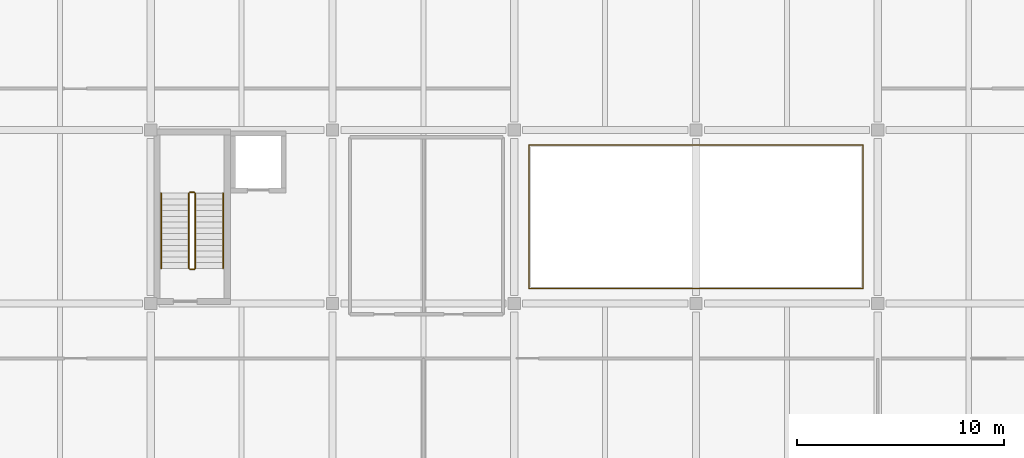
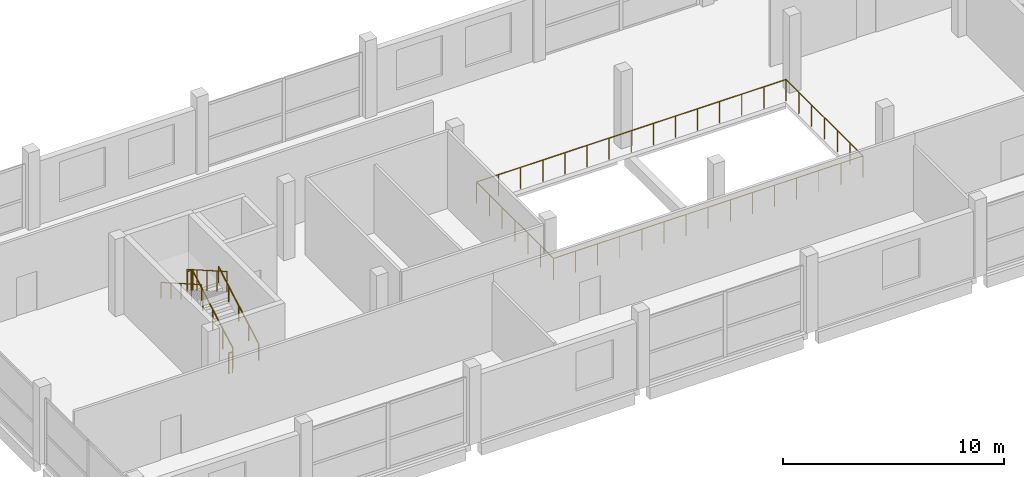
# One storey, part 35 of 38: 7 railings.
"""IFC4 building model written with IfcOpenShell, lengths in metres."""

from ifc_helpers import new_model, si_unit, direction, frame, origin, origin_2d, place, context, subcontext, project, spatial, circle, extrude, material, type_object, element, save


model = new_model("IFC4")

# Units and contexts
model_context = context("Model", 3, precision=1e-05, world=origin(), true_north=direction((0.0, 1.0)))
body_context = subcontext(model_context, "Body", "Model", "MODEL_VIEW")
ifc_project = project(units=[si_unit("LENGTHUNIT", "METRE"), si_unit("AREAUNIT", "SQUARE_METRE"), si_unit("VOLUMEUNIT", "CUBIC_METRE"), si_unit("PLANEANGLEUNIT", "RADIAN"), si_unit("MASSUNIT", "GRAM", prefix="KILO")], contexts=[model_context])

# Site, building, storey
site_placement = place(None, origin())
site = spatial("IfcSite", under=ifc_project, at=site_placement, CompositionType="ELEMENT")
building_placement = place(site_placement, origin())
building = spatial("IfcBuilding", under=site, at=building_placement, Name="Brinegate Botanical Conservatory", CompositionType="ELEMENT")
storey_placement = place(building_placement, frame((0.0, 0.0, 10.199951171875)))
storey = spatial("IfcBuildingStorey", under=building, at=storey_placement, Name="L03", CompositionType="ELEMENT", Elevation=10.199951171875)

# Railings
ifc_material_1 = material(Name="Structural steel Q355B / S355 and laminated glass balustrade", Category="steel")
railing_type_1 = type_object("IfcRailingType", Name="Rail_INT-BAL", PredefinedType="BALUSTRADE", material=ifc_material_1)
railing_1_placement = place(storey_placement, frame((77.919921875, 95.919921875, 0.0)))
element("IfcRailing", 1, at=railing_1_placement, inside=storey, type_object=railing_type_1, Name="Visitor Wing skylit atrium balustrade L03", PredefinedType="BALUSTRADE", context=body_context, shape_type="SweptSolid", body=[
    extrude(circle(Radius=0.02392578125, at=origin_2d()), frame((0.0, 0.0, 1.17578125), z_axis=(1.0, 0.0, 0.0), x_axis=(0.0, 1.0, 0.0)), (0.0, 0.0, 1.0), 16.16015625),
    extrude(circle(Radius=0.02392578125, at=origin_2d()), frame((16.16015625, 0.0, 1.17578125), z_axis=(0.0, 1.0, 0.0), x_axis=(-1.0, 0.0, 0.0)), (0.0, 0.0, 1.0), 6.9599609375),
    extrude(circle(Radius=0.02392578125, at=origin_2d()), frame((16.16015625, 6.9599609375, 1.17578125), z_axis=(-1.0, 0.0, 0.0), x_axis=(0.0, -1.0, 0.0)), (0.0, 0.0, 1.0), 16.16015625),
    extrude(circle(Radius=0.02392578125, at=origin_2d()), frame((0.0, 6.9599609375, 1.17578125), z_axis=(0.0, -1.0, 0.0), x_axis=(1.0, 0.0, 0.0)), (0.0, 0.0, 1.0), 6.9599609375),
    extrude(circle(Radius=0.02099609375, at=origin_2d()), origin(), (0.0, 0.0, 1.0), 1.15185546875),
    extrude(circle(Radius=0.02099609375, at=origin_2d()), frame((1.154296875, 0.0, 0.0)), (0.0, 0.0, 1.0), 1.15185546875),
    extrude(circle(Radius=0.02099609375, at=origin_2d()), frame((2.30859375, 0.0, 0.0)), (0.0, 0.0, 1.0), 1.15185546875),
    extrude(circle(Radius=0.02099609375, at=origin_2d()), frame((3.462890625, 0.0, 0.0)), (0.0, 0.0, 1.0), 1.15185546875),
    extrude(circle(Radius=0.02099609375, at=origin_2d()), frame((4.6171875, 0.0, 0.0)), (0.0, 0.0, 1.0), 1.15185546875),
    extrude(circle(Radius=0.02099609375, at=origin_2d()), frame((5.771484375, 0.0, 0.0)), (0.0, 0.0, 1.0), 1.15185546875),
    extrude(circle(Radius=0.02099609375, at=origin_2d()), frame((6.92578125, 0.0, 0.0)), (0.0, 0.0, 1.0), 1.15185546875),
    extrude(circle(Radius=0.02099609375, at=origin_2d()), frame((8.080078125, 0.0, 0.0)), (0.0, 0.0, 1.0), 1.15185546875),
    extrude(circle(Radius=0.02099609375, at=origin_2d()), frame((9.234375, 0.0, 0.0)), (0.0, 0.0, 1.0), 1.15185546875),
    extrude(circle(Radius=0.02099609375, at=origin_2d()), frame((10.388671875, 0.0, 0.0)), (0.0, 0.0, 1.0), 1.15185546875),
    extrude(circle(Radius=0.02099609375, at=origin_2d()), frame((11.54296875, 0.0, 0.0)), (0.0, 0.0, 1.0), 1.15185546875),
    extrude(circle(Radius=0.02099609375, at=origin_2d()), frame((12.697265625, 0.0, 0.0)), (0.0, 0.0, 1.0), 1.15185546875),
    extrude(circle(Radius=0.02099609375, at=origin_2d()), frame((13.8515625, 0.0, 0.0)), (0.0, 0.0, 1.0), 1.15185546875),
    extrude(circle(Radius=0.02099609375, at=origin_2d()), frame((15.005859375, 0.0, 0.0)), (0.0, 0.0, 1.0), 1.15185546875),
    extrude(circle(Radius=0.02099609375, at=origin_2d()), frame((16.16015625, 0.0, 0.0)), (0.0, 0.0, 1.0), 1.15185546875),
    extrude(circle(Radius=0.02099609375, at=origin_2d()), frame((16.16015625, 1.159912109375, 0.0)), (0.0, 0.0, 1.0), 1.15185546875),
    extrude(circle(Radius=0.02099609375, at=origin_2d()), frame((16.16015625, 2.320068359375, 0.0)), (0.0, 0.0, 1.0), 1.15185546875),
    extrude(circle(Radius=0.02099609375, at=origin_2d()), frame((16.16015625, 3.47998046875, 0.0)), (0.0, 0.0, 1.0), 1.15185546875),
    extrude(circle(Radius=0.02099609375, at=origin_2d()), frame((16.16015625, 4.639892578125, 0.0)), (0.0, 0.0, 1.0), 1.15185546875),
    extrude(circle(Radius=0.02099609375, at=origin_2d()), frame((16.16015625, 5.800048828125, 0.0)), (0.0, 0.0, 1.0), 1.15185546875),
    extrude(circle(Radius=0.02099609375, at=origin_2d()), frame((16.16015625, 6.9599609375, 0.0)), (0.0, 0.0, 1.0), 1.15185546875),
    extrude(circle(Radius=0.02099609375, at=origin_2d()), frame((15.005859375, 6.9599609375, 0.0)), (0.0, 0.0, 1.0), 1.15185546875),
    extrude(circle(Radius=0.02099609375, at=origin_2d()), frame((13.8515625, 6.9599609375, 0.0)), (0.0, 0.0, 1.0), 1.15185546875),
    extrude(circle(Radius=0.02099609375, at=origin_2d()), frame((12.697265625, 6.9599609375, 0.0)), (0.0, 0.0, 1.0), 1.15185546875),
    extrude(circle(Radius=0.02099609375, at=origin_2d()), frame((11.54296875, 6.9599609375, 0.0)), (0.0, 0.0, 1.0), 1.15185546875),
    extrude(circle(Radius=0.02099609375, at=origin_2d()), frame((10.388671875, 6.9599609375, 0.0)), (0.0, 0.0, 1.0), 1.15185546875),
    extrude(circle(Radius=0.02099609375, at=origin_2d()), frame((9.234375, 6.9599609375, 0.0)), (0.0, 0.0, 1.0), 1.15185546875),
    extrude(circle(Radius=0.02099609375, at=origin_2d()), frame((8.080078125, 6.9599609375, 0.0)), (0.0, 0.0, 1.0), 1.15185546875),
    extrude(circle(Radius=0.02099609375, at=origin_2d()), frame((6.92578125, 6.9599609375, 0.0)), (0.0, 0.0, 1.0), 1.15185546875),
    extrude(circle(Radius=0.02099609375, at=origin_2d()), frame((5.771484375, 6.9599609375, 0.0)), (0.0, 0.0, 1.0), 1.15185546875),
    extrude(circle(Radius=0.02099609375, at=origin_2d()), frame((4.6171875, 6.9599609375, 0.0)), (0.0, 0.0, 1.0), 1.15185546875),
    extrude(circle(Radius=0.02099609375, at=origin_2d()), frame((3.462890625, 6.9599609375, 0.0)), (0.0, 0.0, 1.0), 1.15185546875),
    extrude(circle(Radius=0.02099609375, at=origin_2d()), frame((2.30859375, 6.9599609375, 0.0)), (0.0, 0.0, 1.0), 1.15185546875),
    extrude(circle(Radius=0.02099609375, at=origin_2d()), frame((1.154296875, 6.9599609375, 0.0)), (0.0, 0.0, 1.0), 1.15185546875),
    extrude(circle(Radius=0.02099609375, at=origin_2d()), frame((0.0, 6.9599609375, 0.0)), (0.0, 0.0, 1.0), 1.15185546875),
    extrude(circle(Radius=0.02099609375, at=origin_2d()), frame((0.0, 5.800048828125, 0.0)), (0.0, 0.0, 1.0), 1.15185546875),
    extrude(circle(Radius=0.02099609375, at=origin_2d()), frame((0.0, 4.639892578125, 0.0)), (0.0, 0.0, 1.0), 1.15185546875),
    extrude(circle(Radius=0.02099609375, at=origin_2d()), frame((0.0, 3.47998046875, 0.0)), (0.0, 0.0, 1.0), 1.15185546875),
    extrude(circle(Radius=0.02099609375, at=origin_2d()), frame((0.0, 2.320068359375, 0.0)), (0.0, 0.0, 1.0), 1.15185546875),
    extrude(circle(Radius=0.02099609375, at=origin_2d()), frame((0.0, 1.159912109375, 0.0)), (0.0, 0.0, 1.0), 1.15185546875),
])
ifc_material_2 = material(Name="Structural steel Q355B / S355 painted tubular guardrail", Category="steel")
railing_type_2 = type_object("IfcRailingType", Name="Rail_ST-GRD", PredefinedType="GUARDRAIL", material=ifc_material_2)
railing_2_placement = place(storey_placement, frame((61.75, 96.89990234375, 0.16064453125)))
element("IfcRailing", 2, at=railing_2_placement, inside=storey, type_object=railing_type_2, Name="L03 ST3 stair guard 1", PredefinedType="GUARDRAIL", context=body_context, shape_type="SweptSolid", body=[
    extrude(circle(Radius=0.02392578125, at=origin_2d()), frame((0.0, 0.0, 1.1259765625), z_axis=(0.0, 0.867289372828, 0.497804322781), x_axis=(-1.0, 0.0, 0.0)), (0.0, 0.0, 1.0), 4.197021484375),
    extrude(circle(Radius=0.02099609375, at=origin_2d()), origin(), (0.0, 0.0, 1.0), 1.101806640625),
    extrude(circle(Radius=0.02099609375, at=origin_2d()), frame((0.0, 0.91015625, 0.5224609375)), (0.0, 0.0, 1.0), 1.101806640625),
    extrude(circle(Radius=0.02099609375, at=origin_2d()), frame((0.0, 1.820068359375, 1.044677734375)), (0.0, 0.0, 1.0), 1.101806640625),
    extrude(circle(Radius=0.02099609375, at=origin_2d()), frame((0.0, 2.72998046875, 1.56689453125)), (0.0, 0.0, 1.0), 1.101806640625),
    extrude(circle(Radius=0.02099609375, at=origin_2d()), frame((0.0, 3.64013671875, 2.08935546875)), (0.0, 0.0, 1.0), 1.101806640625),
])
railing_3_placement = place(storey_placement, frame((61.699951171875, 100.590087890625, 2.25)))
element("IfcRailing", 3, at=railing_3_placement, inside=storey, type_object=railing_type_2, Name="L03 ST3 stair guard 2", PredefinedType="GUARDRAIL", context=body_context, shape_type="SweptSolid", body=[
    extrude(circle(Radius=0.02392578125, at=origin_2d()), frame((0.0, 0.0, 1.1259765625), z_axis=(-1.0, 0.0, 0.0), x_axis=(0.0, -1.0, 0.0)), (0.0, 0.0, 1.0), 0.199951171875),
    extrude(circle(Radius=0.02099609375, at=origin_2d()), origin(), (0.0, 0.0, 1.0), 1.101806640625),
    extrude(circle(Radius=0.02099609375, at=origin_2d()), frame((-0.199951171875, 0.0, 0.0)), (0.0, 0.0, 1.0), 1.101806640625),
])
railing_4_placement = place(storey_placement, frame((61.449951171875, 100.5400390625, 2.41064453125)))
element("IfcRailing", 4, at=railing_4_placement, inside=storey, type_object=railing_type_2, Name="L03 ST3 stair guard 3", PredefinedType="GUARDRAIL", context=body_context, shape_type="SweptSolid", body=[
    extrude(circle(Radius=0.02392578125, at=origin_2d()), frame((0.0, 0.0, 1.1259765625), z_axis=(0.0, -0.867289372828, 0.497804322781), x_axis=(1.0, 0.0, 0.0)), (0.0, 0.0, 1.0), 4.197021484375),
    extrude(circle(Radius=0.02099609375, at=origin_2d()), origin(), (0.0, 0.0, 1.0), 1.101806640625),
    extrude(circle(Radius=0.02099609375, at=origin_2d()), frame((0.0, -0.91015625, 0.5224609375)), (0.0, 0.0, 1.0), 1.101806640625),
    extrude(circle(Radius=0.02099609375, at=origin_2d()), frame((0.0, -1.820068359375, 1.044677734375)), (0.0, 0.0, 1.0), 1.101806640625),
    extrude(circle(Radius=0.02099609375, at=origin_2d()), frame((0.0, -2.72998046875, 1.56689453125)), (0.0, 0.0, 1.0), 1.101806640625),
    extrude(circle(Radius=0.02099609375, at=origin_2d()), frame((0.0, -3.64013671875, 2.08935546875)), (0.0, 0.0, 1.0), 1.101806640625),
])
railing_5_placement = place(storey_placement, frame((61.699951171875, 96.85009765625, 0.0)))
element("IfcRailing", 5, at=railing_5_placement, inside=storey, type_object=railing_type_2, Name="L03 ST3 stair guard 4", PredefinedType="GUARDRAIL", context=body_context, shape_type="SweptSolid", body=[
    extrude(circle(Radius=0.02392578125, at=origin_2d()), frame((0.0, 0.0, 1.1259765625), z_axis=(-1.0, 0.0, 0.0), x_axis=(0.0, -1.0, 0.0)), (0.0, 0.0, 1.0), 0.199951171875),
    extrude(circle(Radius=0.02099609375, at=origin_2d()), origin(), (0.0, 0.0, 1.0), 1.101806640625),
    extrude(circle(Radius=0.02099609375, at=origin_2d()), frame((-0.199951171875, 0.0, 0.0)), (0.0, 0.0, 1.0), 1.101806640625),
])
ifc_material_3 = material(Name="Brushed stainless steel S355 handrail", Category="steel")
railing_type_3 = type_object("IfcRailingType", Name="Rail_ST-HND", PredefinedType="HANDRAIL", material=ifc_material_3)
railing_6_placement = place(storey_placement, frame((63.10009765625, 96.89990234375, 0.16064453125)))
element("IfcRailing", 6, at=railing_6_placement, inside=storey, type_object=railing_type_3, Name="L03 ST3 stair handrail 1", PredefinedType="HANDRAIL", context=body_context, shape_type="SweptSolid", body=[
    extrude(circle(Radius=0.02392578125, at=origin_2d()), frame((0.0, 0.0, 0.8759765625), z_axis=(0.0, 0.867289372828, 0.497804322781), x_axis=(-1.0, 0.0, 0.0)), (0.0, 0.0, 1.0), 4.197021484375),
    extrude(circle(Radius=0.02099609375, at=origin_2d()), origin(), (0.0, 0.0, 1.0), 0.851806640625),
    extrude(circle(Radius=0.02099609375, at=origin_2d()), frame((0.0, 0.91015625, 0.5224609375)), (0.0, 0.0, 1.0), 0.851806640625),
    extrude(circle(Radius=0.02099609375, at=origin_2d()), frame((0.0, 1.820068359375, 1.044677734375)), (0.0, 0.0, 1.0), 0.851806640625),
    extrude(circle(Radius=0.02099609375, at=origin_2d()), frame((0.0, 2.72998046875, 1.56689453125)), (0.0, 0.0, 1.0), 0.851806640625),
    extrude(circle(Radius=0.02099609375, at=origin_2d()), frame((0.0, 3.64013671875, 2.08935546875)), (0.0, 0.0, 1.0), 0.851806640625),
])
railing_7_placement = place(storey_placement, frame((60.10009765625, 100.5400390625, 2.41064453125)))
element("IfcRailing", 7, at=railing_7_placement, inside=storey, type_object=railing_type_3, Name="L03 ST3 stair handrail 2", PredefinedType="HANDRAIL", context=body_context, shape_type="SweptSolid", body=[
    extrude(circle(Radius=0.02392578125, at=origin_2d()), frame((0.0, 0.0, 0.8759765625), z_axis=(0.0, -0.867289372828, 0.497804322781), x_axis=(1.0, 0.0, 0.0)), (0.0, 0.0, 1.0), 4.197021484375),
    extrude(circle(Radius=0.02099609375, at=origin_2d()), origin(), (0.0, 0.0, 1.0), 0.851806640625),
    extrude(circle(Radius=0.02099609375, at=origin_2d()), frame((0.0, -0.91015625, 0.5224609375)), (0.0, 0.0, 1.0), 0.851806640625),
    extrude(circle(Radius=0.02099609375, at=origin_2d()), frame((0.0, -1.820068359375, 1.044677734375)), (0.0, 0.0, 1.0), 0.851806640625),
    extrude(circle(Radius=0.02099609375, at=origin_2d()), frame((0.0, -2.72998046875, 1.56689453125)), (0.0, 0.0, 1.0), 0.851806640625),
    extrude(circle(Radius=0.02099609375, at=origin_2d()), frame((0.0, -3.64013671875, 2.08935546875)), (0.0, 0.0, 1.0), 0.851806640625),
])

save(model, "model.ifc")
